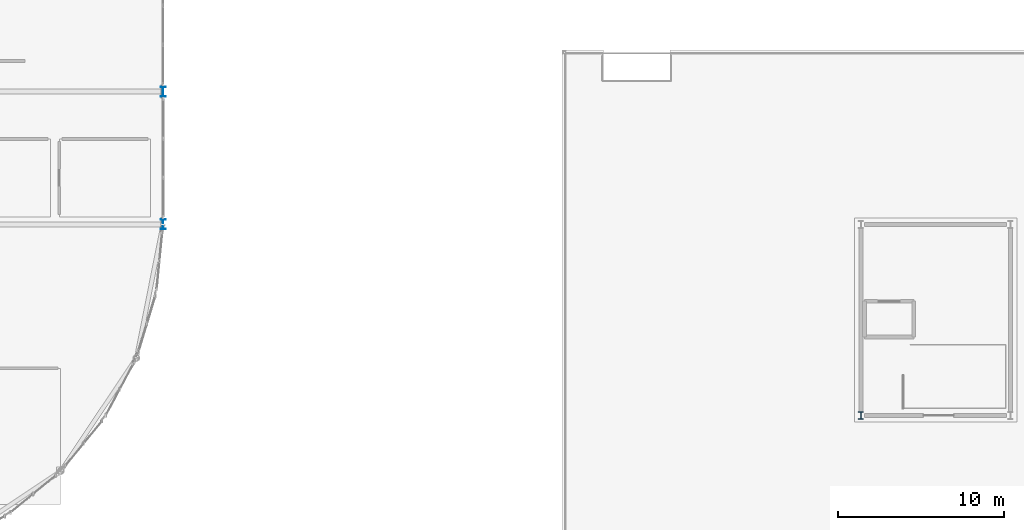
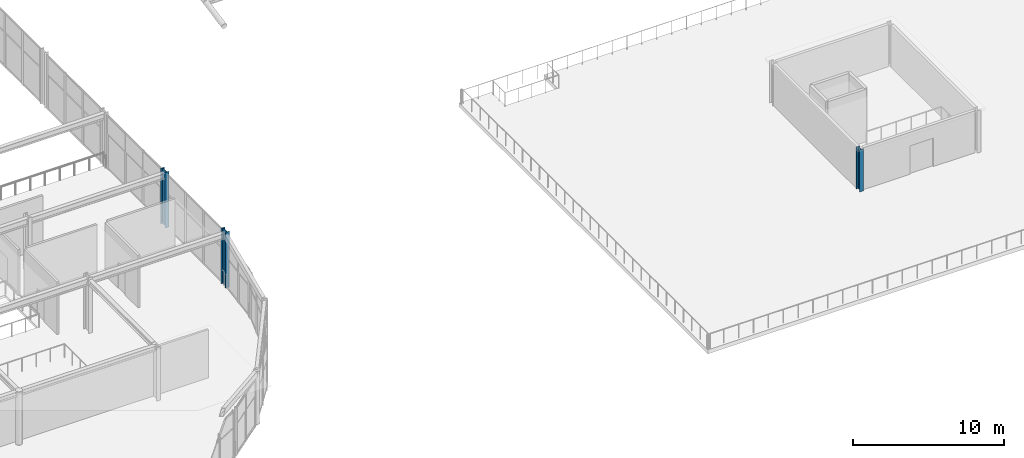
# One storey, part 8 of 105: 3 columns.
"""IFC4 building model written with IfcOpenShell, lengths in metres."""

from ifc_helpers import new_model, si_unit, direction, frame, origin, origin_2d, place, context, subcontext, project, spatial, i_section, extrude, material, material_profile, profile_set, type_object, element, save


model = new_model("IFC4")

# Units and contexts
model_context = context("Model", 3, precision=1e-05, world=origin(), true_north=direction((0.0, 1.0)))
body_context = subcontext(model_context, "Body", "Model", "MODEL_VIEW")
ifc_project = project(units=[si_unit("LENGTHUNIT", "METRE"), si_unit("AREAUNIT", "SQUARE_METRE"), si_unit("VOLUMEUNIT", "CUBIC_METRE"), si_unit("PLANEANGLEUNIT", "RADIAN"), si_unit("MASSUNIT", "GRAM", prefix="KILO")], contexts=[model_context])

# Site, building, storey
site_placement = place(None, origin())
site = spatial("IfcSite", under=ifc_project, at=site_placement, CompositionType="ELEMENT")
building_placement = place(site_placement, origin())
building = spatial("IfcBuilding", under=site, at=building_placement, Name="Marlcrest Central Station", CompositionType="ELEMENT")
storey_placement = place(building_placement, frame((0.0, 0.0, 15.0)))
storey = spatial("IfcBuildingStorey", under=building, at=storey_placement, Name="L03", CompositionType="ELEMENT", Elevation=15.0)

# Columns
ifc_material = material(Name="Steel S355", Category="steel")
ifc_material_profile_1 = material_profile(ifc_material, i_section(OverallWidth=0.300048828125, OverallDepth=0.449951171875, WebThickness=0.013916015625, FlangeThickness=0.02587890625, FilletRadius=0.027099609375, at=origin_2d()), Name="HEB 450")
ifc_profile_set_1 = profile_set([ifc_material_profile_1], Name="Steel S355")
column_type_1 = type_object("IfcColumnType", Name="SC-02", PredefinedType="COLUMN", material=ifc_profile_set_1)
column_placement = place(storey_placement, frame((171.0, 11.0, 0.0), z_axis=(0.0, 0.0, 1.0), x_axis=(1.0, 0.0, 0.0)))
element("IfcColumn", 1, at=column_placement, inside=storey, type_object=column_type_1, Name="col-l03-pav-171-11", PredefinedType="COLUMN", context=body_context, shape_type="SweptSolid", body=[
    extrude(i_section(OverallWidth=0.300048828125, OverallDepth=0.449951171875, WebThickness=0.013916015625, FlangeThickness=0.02587890625, FilletRadius=0.027099609375, at=origin_2d()), origin(), (0.0, 0.0, 1.0), 3.39990234375),
])
ifc_material_profile_2 = material_profile(ifc_material, i_section(OverallWidth=0.300048828125, OverallDepth=0.60009765625, WebThickness=0.015380859375, FlangeThickness=0.030029296875, FilletRadius=0.027099609375, at=origin_2d()), Name="HEB 600")
ifc_profile_set_2 = profile_set([ifc_material_profile_2], Name="Steel S355")
column_type_2 = type_object("IfcColumnType", Name="SC-05", PredefinedType="COLUMN", material=ifc_profile_set_2)
for number, where, z_axis, x_axis, name in (
    (2, (129.0, 22.5, 0.0), (0.0, 0.0, 1.0), (1.0, 0.0, 0.0), "col-SC-05-L03-0684"),
    (3, (129.0, 30.5, 0.0), (0.0, 0.0, 1.0), (1.0, 0.0, 0.0), "col-SC-05-L03-0702"),
):
    element("IfcColumn", number, at=place(storey_placement, frame(where, z_axis=z_axis, x_axis=x_axis)), inside=storey, type_object=column_type_2, Name=name, PredefinedType="COLUMN", context=body_context, shape_type="SweptSolid", body=[
        extrude(i_section(OverallWidth=0.300048828125, OverallDepth=0.60009765625, WebThickness=0.015380859375, FlangeThickness=0.030029296875, FilletRadius=0.027099609375, at=origin_2d()), origin(), (0.0, 0.0, 1.0), 4.5),
    ])

save(model, "model.ifc")
